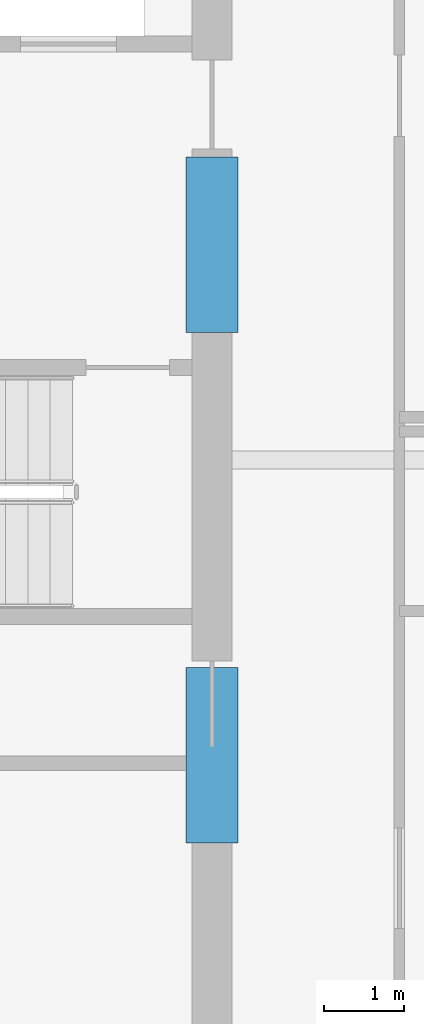
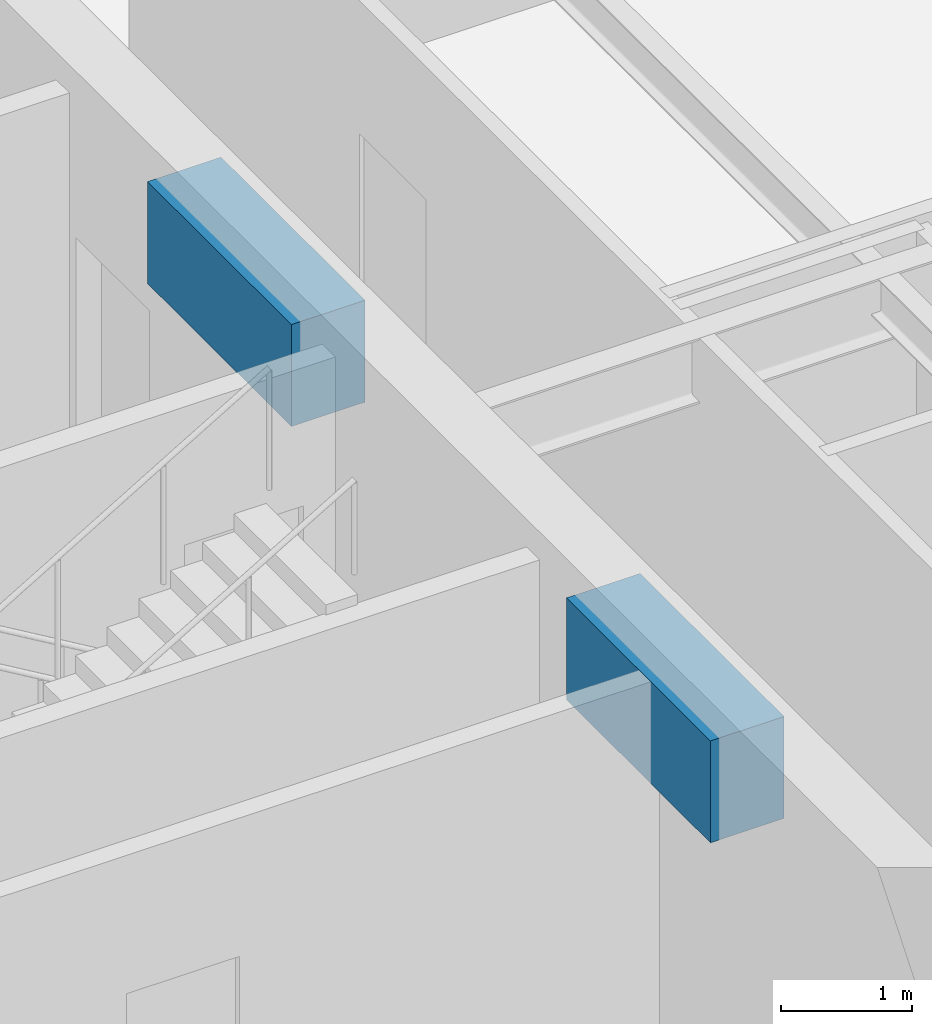
# One storey, part 14 of 33: 2 beams.
"""IFC4 building model written with IfcOpenShell, lengths in metres."""

from ifc_helpers import new_model, si_unit, direction, frame, origin, origin_2d, place, context, subcontext, project, spatial, rectangle, extrude, material, material_profile, profile_set, type_object, element, save


model = new_model("IFC4")

# Units and contexts
model_context = context("Model", 3, precision=1e-05, world=origin(), true_north=direction((0.0, 1.0)))
body_context = subcontext(model_context, "Body", "Model", "MODEL_VIEW")
ifc_project = project(units=[si_unit("LENGTHUNIT", "METRE"), si_unit("AREAUNIT", "SQUARE_METRE"), si_unit("VOLUMEUNIT", "CUBIC_METRE"), si_unit("PLANEANGLEUNIT", "RADIAN"), si_unit("MASSUNIT", "GRAM", prefix="KILO")], contexts=[model_context])

# Site, building, storey
site_placement = place(None, origin())
site = spatial("IfcSite", under=ifc_project, at=site_placement, CompositionType="ELEMENT")
building_placement = place(site_placement, origin())
building = spatial("IfcBuilding", under=site, at=building_placement, Name="Drelvath Grand Hotel", CompositionType="ELEMENT")
storey_placement = place(building_placement, frame((0.0, 0.0, 283.25)))
storey = spatial("IfcBuildingStorey", under=building, at=storey_placement, Name="L74", CompositionType="ELEMENT", Elevation=283.25)

# Beams
ifc_material = material(Name="Concrete f'c 55 MPa", Category="concrete")
ifc_material_profile = material_profile(ifc_material, rectangle(XDim=0.64990234375, YDim=0.949951171875, at=origin_2d()), Name="CB650X950")
ifc_profile_set = profile_set([ifc_material_profile], Name="Concrete f'c 55 MPa")
beam_type = type_object("IfcBeamType", Name="Core Coupling Lintel CB650X950", PredefinedType="LINTEL", material=ifc_profile_set)
for number, where, z_axis, x_axis, name in (
    (1, (8.35009765625, 22.199951171875, 2.9150390625), (0.0, 1.0, 0.0), (-1.0, 0.0, 0.0), "L74 Core Coupling Lintel ES"),
    (2, (8.35009765625, 28.60009765625, 2.9150390625), (0.0, 1.0, 0.0), (-1.0, 0.0, 0.0), "L74 Core Coupling Lintel EN"),
):
    element("IfcBeam", number, at=place(storey_placement, frame(where, z_axis=z_axis, x_axis=x_axis)), inside=storey, type_object=beam_type, Name=name, PredefinedType="LINTEL", context=body_context, shape_type="SweptSolid", body=[
        extrude(rectangle(XDim=0.64990234375, YDim=0.949951171875, at=origin_2d()), origin(), (0.0, 0.0, 1.0), 2.199951171875),
    ])

save(model, "model.ifc")
